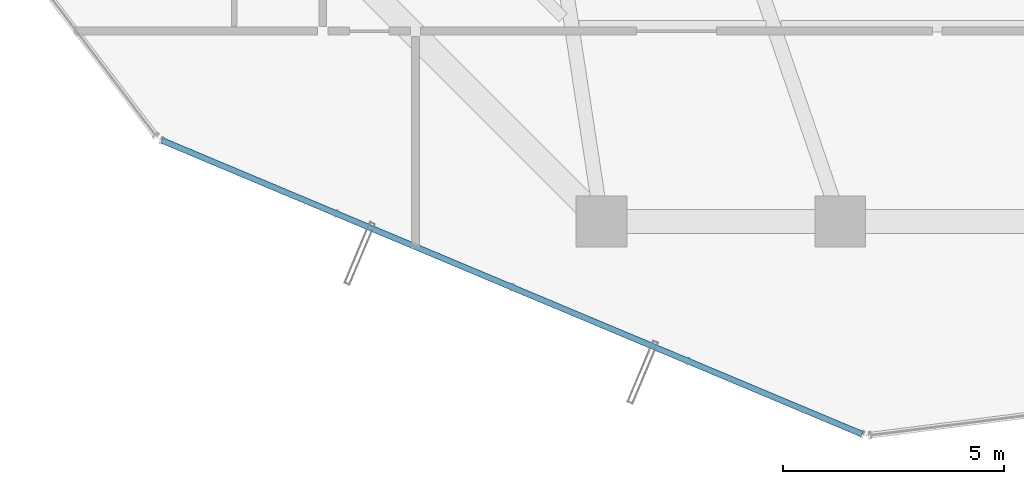
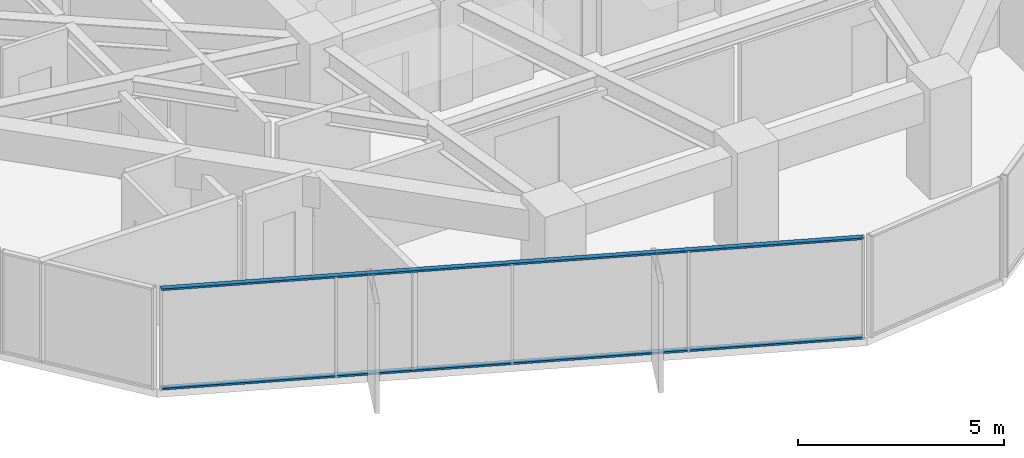
# One storey, part 3 of 33: 2 members, 1 element without a shape of its own.
"""IFC4 building model written with IfcOpenShell, lengths in metres."""

from ifc_helpers import new_model, si_unit, direction, frame, origin, origin_2d, place, context, subcontext, project, spatial, hollow_rectangle, extrude, source, transform, mapped, material, layer, layer_set, material_profile, profile_set, type_object, element, aggregate, save


model = new_model("IFC4")

# Units and contexts
model_context = context("Model", 3, precision=1e-05, world=origin(), true_north=direction((0.0, 1.0)))
body_context = subcontext(model_context, "Body", "Model", "MODEL_VIEW")
ifc_project = project(units=[si_unit("LENGTHUNIT", "METRE"), si_unit("AREAUNIT", "SQUARE_METRE"), si_unit("VOLUMEUNIT", "CUBIC_METRE"), si_unit("PLANEANGLEUNIT", "RADIAN"), si_unit("MASSUNIT", "GRAM", prefix="KILO")], contexts=[model_context])

# Site, building, storey
site_placement = place(None, origin())
site = spatial("IfcSite", under=ifc_project, at=site_placement, CompositionType="ELEMENT")
building_placement = place(site_placement, origin())
building = spatial("IfcBuilding", under=site, at=building_placement, Name="Veraguas Prism Commons", CompositionType="ELEMENT")
storey_placement = place(building_placement, frame((0.0, 0.0, 152.25)))
storey = spatial("IfcBuildingStorey", under=building, at=storey_placement, Name="L43", CompositionType="ELEMENT", Elevation=152.25)

# Curtain wall, members
ifc_material = material(Name="Anodised aluminium EN AW-6063 T6", Category="aluminium")
ifc_layer = layer(ifc_material, 0.169921875, Name="Unitised Flush Curtain Wall Zone 2", Category="aluminium")
ifc_layer_set = layer_set([ifc_layer], Name="Anodised aluminium EN AW-6063 T6")
curtain_wall_type = type_object("IfcCurtainWallType", Name="Unitised Flush Curtain Wall Zone 2", PredefinedType="NOTDEFINED", material=ifc_layer_set)
curtain_wall_placement = place(storey_placement, origin())
curtain_wall = element("IfcCurtainWall", 1, at=curtain_wall_placement, inside=storey, type_object=curtain_wall_type, Name="Tower Facade Curtain Wall L43-F4", PredefinedType="NOTDEFINED")
ifc_material_profile = material_profile(ifc_material, hollow_rectangle(XDim=0.054931640625, YDim=0.135009765625, WallThickness=0.0029296875, at=origin_2d()), Name="AL55X135X3")
ifc_profile_set = profile_set([ifc_material_profile], Name="Anodised aluminium EN AW-6063 T6")
member_type = type_object("IfcMemberType", Name="Curtain Wall Transom Standard AL 55x135x3", PredefinedType="USERDEFINED", material=ifc_profile_set)
shared_shape = source(origin(), body_context, "Body", "SweptSolid", [
    extrude(hollow_rectangle(XDim=0.054931640625, YDim=0.135009765625, WallThickness=0.0029296875, at=origin_2d()), origin(), (0.0, 0.0, 1.0), 17.174560546875),
])
member_1_placement = place(storey_placement, frame((8.66015625, 9.63330078125, 0.027587890625), z_axis=(0.922134188242, -0.386870183493, 0.0), x_axis=(0.0, 0.0, 1.0)))
member_1 = element("IfcMember", 2, at=member_1_placement, type_object=member_type, Name="CW-Z2 Transom 1", ObjectType="TRANSOM", PredefinedType="USERDEFINED", context=body_context, shape_type="MappedRepresentation", body=[
    mapped(shared_shape, transform((0.0, 0.0, 0.0), scale=1.0)),
])
member_2_placement = place(storey_placement, frame((8.66015625, 9.63330078125, 2.972412109375), z_axis=(0.922134188242, -0.386870183493, 0.0), x_axis=(0.0, 0.0, 1.0)))
member_2 = element("IfcMember", 3, at=member_2_placement, type_object=member_type, Name="CW-Z2 Transom 2", ObjectType="TRANSOM", PredefinedType="USERDEFINED", context=body_context, shape_type="MappedRepresentation", body=[
    mapped(shared_shape, transform((0.0, 0.0, 0.0), scale=1.0)),
])
aggregate(curtain_wall, [member_1, member_2])

save(model, "model.ifc")
